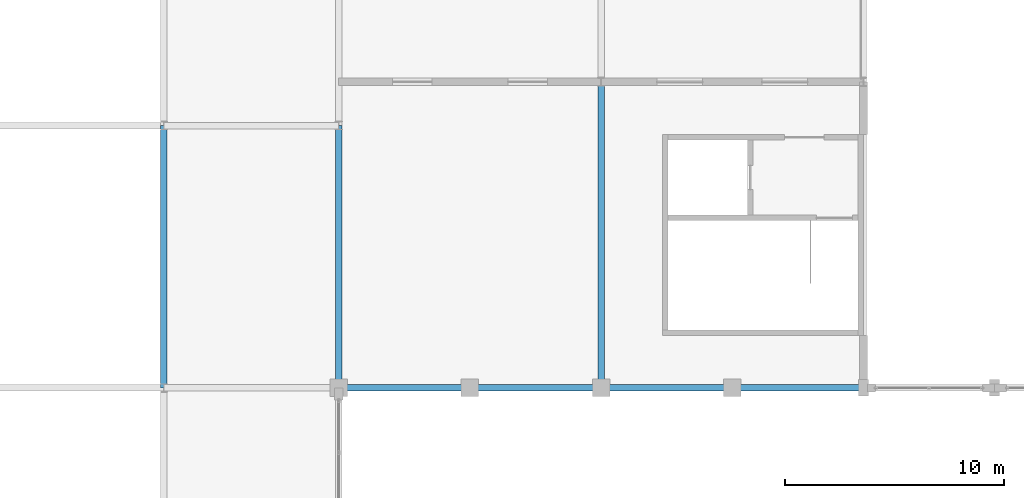
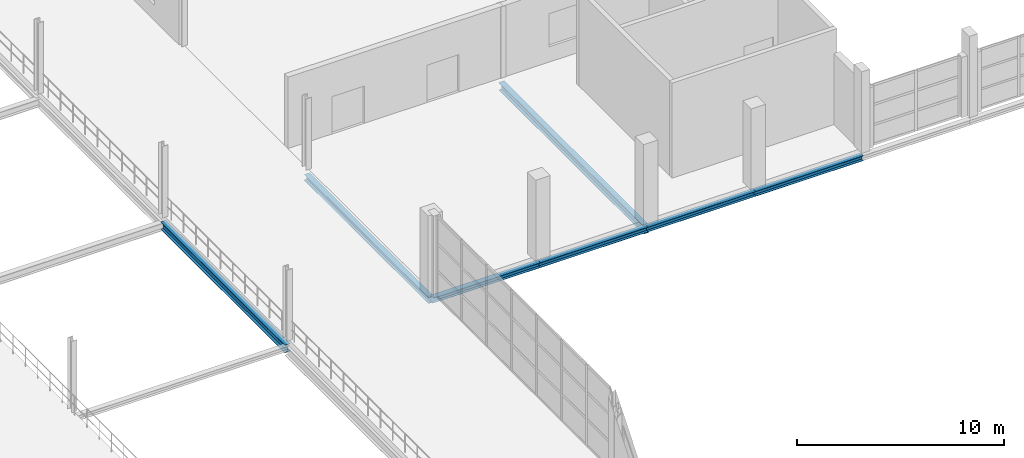
# One storey, part 59 of 147: 7 beams.
"""IFC4 building model written with IfcOpenShell, lengths in metres."""

from ifc_helpers import new_model, si_unit, direction, frame, origin, origin_2d, place, context, subcontext, project, spatial, i_section, extrude, material, material_profile, profile_set, type_object, element, save


model = new_model("IFC4")

# Units and contexts
model_context = context("Model", 3, precision=1e-05, world=origin(), true_north=direction((0.0, 1.0)))
body_context = subcontext(model_context, "Body", "Model", "MODEL_VIEW")
ifc_project = project(units=[si_unit("LENGTHUNIT", "METRE"), si_unit("AREAUNIT", "SQUARE_METRE"), si_unit("VOLUMEUNIT", "CUBIC_METRE"), si_unit("PLANEANGLEUNIT", "RADIAN"), si_unit("MASSUNIT", "GRAM", prefix="KILO")], contexts=[model_context])

# Site, building, storey
site_placement = place(None, origin())
site = spatial("IfcSite", under=ifc_project, at=site_placement, CompositionType="ELEMENT")
building_placement = place(site_placement, origin())
building = spatial("IfcBuilding", under=site, at=building_placement, Name="Zilviju Railside Exhibition Hall", CompositionType="ELEMENT")
storey_placement = place(building_placement, frame((0.0, 0.0, 8.39990234375)))
storey = spatial("IfcBuildingStorey", under=building, at=storey_placement, Name="L03", CompositionType="ELEMENT", Elevation=8.39990234375)

# Beams
ifc_material = material(Name="Steel S355J2", Category="steel")
ifc_material_profile_1 = material_profile(ifc_material, i_section(OverallWidth=0.300048828125, OverallDepth=0.2900390625, WebThickness=0.008544921875, FlangeThickness=0.013916015625, at=origin_2d()), Name="HEA 300")
ifc_profile_set_1 = profile_set([ifc_material_profile_1], Name="Steel S355J2")
beam_type_1 = type_object("IfcBeamType", Name="BM-HEA300", PredefinedType="SPANDREL", material=ifc_profile_set_1)
for number, where, z_axis, x_axis, name in (
    (1, (78.0, 54.0, -0.494873046875), (1.0, 0.0, 0.0), (0.0, 1.0, 0.0), "Primary Girder L03 Y=54.0 (78.0..84.0)"),
    (2, (84.0, 54.0, -0.494873046875), (1.0, 0.0, 0.0), (0.0, 1.0, 0.0), "Primary Girder L03 Y=54.0 (84.0..90.0)"),
    (3, (90.0, 54.0, -0.494873046875), (1.0, 0.0, 0.0), (0.0, 1.0, 0.0), "Primary Girder L03 Y=54.0 (90.0..96.0)"),
    (4, (96.0, 54.0, -0.494873046875), (1.0, 0.0, 0.0), (0.0, 1.0, 0.0), "Primary Girder L03 Y=54.0 (96.0..102.0)"),
):
    element("IfcBeam", number, at=place(storey_placement, frame(where, z_axis=z_axis, x_axis=x_axis)), inside=storey, type_object=beam_type_1, Name=name, PredefinedType="SPANDREL", context=body_context, shape_type="SweptSolid", body=[
        extrude(i_section(OverallWidth=0.300048828125, OverallDepth=0.2900390625, WebThickness=0.008544921875, FlangeThickness=0.013916015625, at=origin_2d()), origin(), (0.0, 0.0, 1.0), 6.0),
    ])
ifc_material_profile_2 = material_profile(ifc_material, i_section(OverallWidth=0.300048828125, OverallDepth=0.35009765625, WebThickness=0.010009765625, FlangeThickness=0.017578125, at=origin_2d()), Name="HEA 360")
ifc_profile_set_2 = profile_set([ifc_material_profile_2], Name="Steel S355J2")
beam_type_2 = type_object("IfcBeamType", Name="BM-HEA360", PredefinedType="BEAM", material=ifc_profile_set_2)
beam_1_placement = place(storey_placement, frame((78.0, 54.0, -0.52490234375), z_axis=(0.0, 1.0, 0.0), x_axis=(-1.0, 0.0, 0.0)))
element("IfcBeam", 5, at=beam_1_placement, inside=storey, type_object=beam_type_2, Name="Transverse Girder L03 X=78.0 (54.0..66.0)", PredefinedType="BEAM", context=body_context, shape_type="SweptSolid", body=[
    extrude(i_section(OverallWidth=0.300048828125, OverallDepth=0.35009765625, WebThickness=0.010009765625, FlangeThickness=0.017578125, at=origin_2d()), origin(), (0.0, 0.0, 1.0), 12.0),
])
ifc_material_profile_3 = material_profile(ifc_material, i_section(OverallWidth=0.300048828125, OverallDepth=0.449951171875, WebThickness=0.013916015625, FlangeThickness=0.02587890625, at=origin_2d()), Name="HEB 450")
ifc_profile_set_3 = profile_set([ifc_material_profile_3], Name="Steel S355J2")
beam_type_3 = type_object("IfcBeamType", Name="BM-HEB450", PredefinedType="BEAM", material=ifc_profile_set_3)
beam_2_placement = place(storey_placement, frame((70.0, 54.0, -0.574951171875), z_axis=(0.0, 1.0, 0.0), x_axis=(-1.0, 0.0, 0.0)))
element("IfcBeam", 6, at=beam_2_placement, inside=storey, type_object=beam_type_3, Name="Transverse Girder L03 X=70.0 (54.0..66.0)", PredefinedType="BEAM", context=body_context, shape_type="SweptSolid", body=[
    extrude(i_section(OverallWidth=0.300048828125, OverallDepth=0.449951171875, WebThickness=0.013916015625, FlangeThickness=0.02587890625, at=origin_2d()), origin(), (0.0, 0.0, 1.0), 12.0),
])
beam_3_placement = place(storey_placement, frame((90.0, 54.0, -0.574951171875), z_axis=(0.0, 1.0, 0.0), x_axis=(-1.0, 0.0, 0.0)))
element("IfcBeam", 7, at=beam_3_placement, inside=storey, type_object=beam_type_3, Name="Transverse Girder L03 X=90.0 (54.0..68.0)", PredefinedType="BEAM", context=body_context, shape_type="SweptSolid", body=[
    extrude(i_section(OverallWidth=0.300048828125, OverallDepth=0.449951171875, WebThickness=0.013916015625, FlangeThickness=0.02587890625, at=origin_2d()), origin(), (0.0, 0.0, 1.0), 14.0),
])

save(model, "model.ifc")
